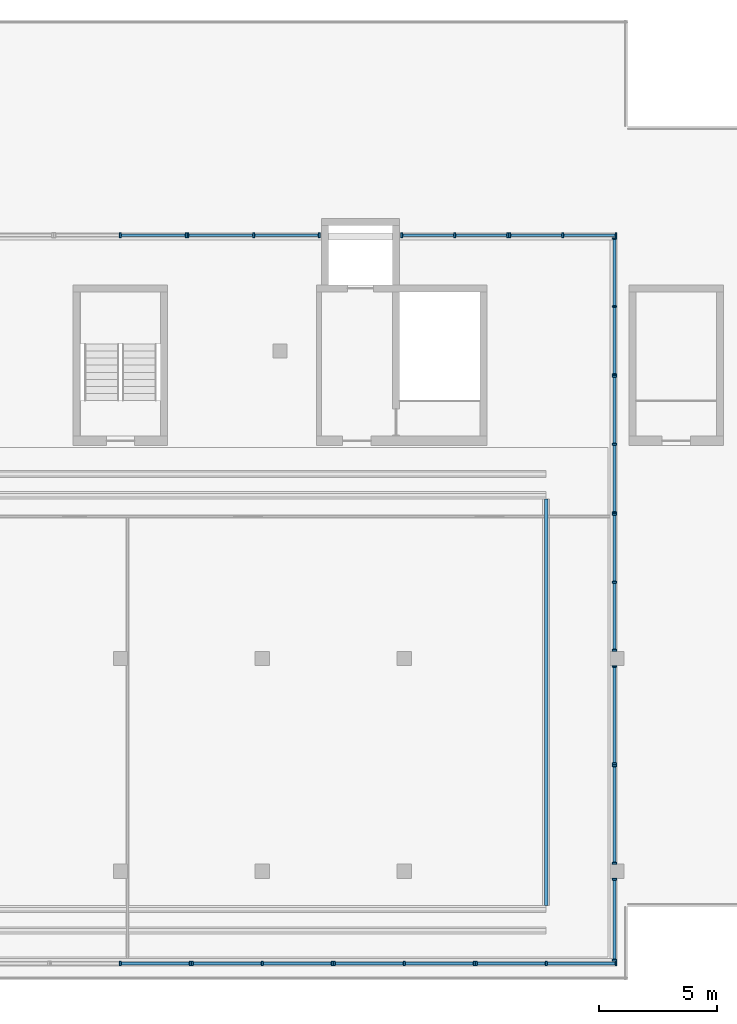
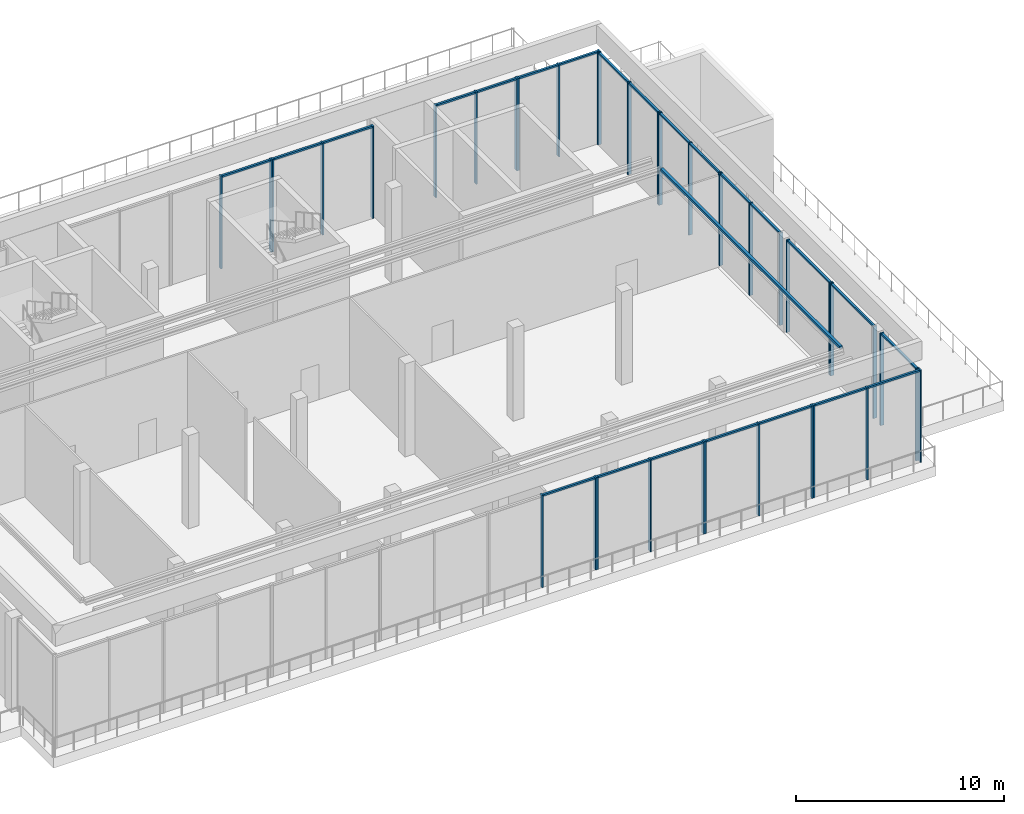
# One storey, part 6 of 11: 61 members, 14 elements without a shape of their own.
"""IFC4 building model written with IfcOpenShell, lengths in metres."""

import ifcopenshell
import ifcopenshell.guid

model = None  # the IFC model being written
_history = None  # IfcOwnerHistory: only IFC2X3 demands one
_inside = {}  # id of a spatial element -> (the spatial element, [elements in it])
_under = {}  # id of a project, library or spatial element -> (it, [spatial elements below it])
_declared = {}  # id of a project -> (the project, [libraries it declares])
_typed = {}  # id of a type object -> (the type object, [elements of that type])
_made_of = {}  # id of a material, layer set ... -> (it, [elements and type objects made of it])


def new_model(schema):
    """Start an empty IFC model of exactly this schema.

    Asked for "IFC4X3", IfcOpenShell would pick the latest addendum, in which some entities
    have other attributes; the version numbers below select the first issue.
    IFC2X3 requires an IfcOwnerHistory on every rooted entity: one is made here for all.
    """
    global model, _history
    if schema == "IFC4X3":
        model = ifcopenshell.file(schema_version=(4, 3, 0, 0))
    else:
        model = ifcopenshell.file(schema=schema)
    _inside.clear()
    _under.clear()
    _declared.clear()
    _typed.clear()
    _made_of.clear()
    _history = None
    if model.schema == "IFC2X3":
        org = make("IfcOrganization", Name="unknown")
        user = make(
            "IfcPersonAndOrganization",
            ThePerson=make("IfcPerson", FamilyName="unknown"),
            TheOrganization=org,
        )
        app = make(
            "IfcApplication",
            ApplicationDeveloper=org,
            Version="unknown",
            ApplicationFullName="unknown",
            ApplicationIdentifier="unknown",
        )
        _history = make(
            "IfcOwnerHistory",
            OwningUser=user,
            OwningApplication=app,
            ChangeAction="ADDED",
            CreationDate=0,
        )
    return model


def make(cls, **values):
    """One entity of the class cls with the attributes given. An attribute that is None is left unset."""
    return model.create_entity(
        cls, **{name: value for name, value in values.items() if value is not None}
    )


def rooted(cls, **values):
    """An entity with a GlobalId (a new one), such as an element, a storey or a relation."""
    return make(cls, GlobalId=ifcopenshell.guid.new(), OwnerHistory=_history, **values)


def si_unit(unit_type, name, prefix=None):
    """IfcSIUnit, for example si_unit("LENGTHUNIT", "METRE", prefix="MILLI")."""
    return make("IfcSIUnit", UnitType=unit_type, Prefix=prefix, Name=name)


def assignment(units):
    """IfcUnitAssignment: the units of a project."""
    return None if units is None else make("IfcUnitAssignment", Units=units)


def point(xyz):
    """IfcCartesianPoint."""
    return None if xyz is None else make("IfcCartesianPoint", Coordinates=xyz)


def direction(xyz):
    """IfcDirection."""
    return None if xyz is None else make("IfcDirection", DirectionRatios=xyz)


def frame(location, z_axis=None, x_axis=None):
    """IfcAxis2Placement3D, a coordinate frame: its origin and axes. An axis left out is left unset."""
    return make(
        "IfcAxis2Placement3D",
        Location=point(location),
        Axis=direction(z_axis),
        RefDirection=direction(x_axis),
    )


def frame_2d(location, x_axis=None):
    """IfcAxis2Placement2D, a coordinate frame in the plane: its origin and x axis."""
    return make(
        "IfcAxis2Placement2D", Location=point(location), RefDirection=direction(x_axis)
    )


def origin():
    """The frame at (0, 0, 0) with its axes left unset."""
    return frame((0.0, 0.0, 0.0))


def origin_2d():
    """The frame at (0, 0) in the plane with its x axis left unset."""
    return frame_2d((0.0, 0.0))


def place(relative_to, where):
    """IfcLocalPlacement: puts the frame where relative to a parent placement (None: the world)."""
    return make(
        "IfcLocalPlacement", PlacementRelTo=relative_to, RelativePlacement=where
    )


def context(
    kind, dimensions, precision=None, world=None, true_north=None, identifier=None
):
    """IfcGeometricRepresentationContext, for example the 3D "Model" context."""
    return make(
        "IfcGeometricRepresentationContext",
        ContextIdentifier=identifier,
        ContextType=kind,
        CoordinateSpaceDimension=dimensions,
        Precision=precision,
        WorldCoordinateSystem=world,
        TrueNorth=true_north,
    )


def subcontext(parent, identifier, kind, view, scale=None):
    """IfcGeometricRepresentationSubContext, for example "Body" below "Model"."""
    return make(
        "IfcGeometricRepresentationSubContext",
        ContextIdentifier=identifier,
        ContextType=kind,
        ParentContext=parent,
        TargetScale=scale,
        TargetView=view,
    )


def project(units=None, contexts=None):
    """IfcProject with its units and contexts."""
    return rooted(
        "IfcProject",
        Name="project",
        RepresentationContexts=contexts,
        UnitsInContext=assignment(units),
    )


def spatial(cls, under=None, at=None, **own):
    """A site, building, storey or space (cls), placed at a placement, below another one or the project."""
    s = rooted(cls, ObjectPlacement=at, **own)
    if under is not None:
        _under.setdefault(under.id(), (under, []))[1].append(s)
    return s


def profile(cls, at=None, kind="AREA", **sizes):
    """A parametric profile (cls). Its sizes go by their IFC names, for example OverallWidth=200.0."""
    return make(cls, ProfileType=kind, Position=at, **sizes)


def rectangle(**sizes):
    """IfcRectangleProfileDef."""
    return profile("IfcRectangleProfileDef", **sizes)


def extrude(swept, where, along, depth):
    """IfcExtrudedAreaSolid: the profile swept, set in the frame where, extruded along a direction by depth."""
    return make(
        "IfcExtrudedAreaSolid",
        SweptArea=swept,
        Position=where,
        ExtrudedDirection=direction(along),
        Depth=depth,
    )


def shape(context_of_items, identifier, shape_type, items):
    """IfcShapeRepresentation: the items that make up one representation, for example the "Body"."""
    return make(
        "IfcShapeRepresentation",
        ContextOfItems=context_of_items,
        RepresentationIdentifier=identifier,
        RepresentationType=shape_type,
        Items=items,
    )


def material(Name=None, Category=None):
    """IfcMaterial."""
    return make("IfcMaterial", Name=Name, Category=Category)


def material_profile(
    of_material, cross_section, Name=None, Category=None, Priority=None
):
    """IfcMaterialProfile: a cross section and its material."""
    return make(
        "IfcMaterialProfile",
        Name=Name,
        Material=of_material,
        Profile=cross_section,
        Priority=Priority,
        Category=Category,
    )


def profile_set(profiles, Name=None, composite=None):
    """IfcMaterialProfileSet."""
    return make(
        "IfcMaterialProfileSet",
        Name=Name,
        MaterialProfiles=profiles,
        CompositeProfile=composite,
    )


def made_of(thing, what):
    """Note that an element or type object is made of a material, layer set ...; save() writes the relation."""
    if what is not None:
        _made_of.setdefault(what.id(), (what, []))[1].append(thing)
    return thing


def type_object(cls, material=None, **own):
    """A type object (cls), such as IfcWallType, which elements share."""
    return made_of(rooted(cls, **own), material)


def element(
    cls,
    number,
    at=None,
    inside=None,
    cuts=None,
    type_object=None,
    material=None,
    context=None,
    identifier="Body",
    shape_type=None,
    held_by="IfcProductDefinitionShape",
    body=None,
    shapes=None,
    **own,
):
    """One element of the class cls, such as IfcWall. Its Tag is "e" and its number.

    at: its placement. inside: the storey or other place that contains it. cuts: it is an
    opening in that element (IfcRelVoidsElement). A single representation is given by context,
    identifier, shape_type and body (its items); several are given by shapes. held_by: the class
    of the entity that holds the representations. save() writes the other relations.
    """
    e = rooted(cls, Tag="e%d" % number, ObjectPlacement=at, **own)
    if body is not None:
        shapes = [shape(context, identifier, shape_type, body)]
    if shapes is not None:
        e.Representation = make(held_by, Representations=shapes)
    if inside is not None:
        _inside.setdefault(inside.id(), (inside, []))[1].append(e)
    if cuts is not None:
        rooted(
            "IfcRelVoidsElement", RelatingBuildingElement=cuts, RelatedOpeningElement=e
        )
    if type_object is not None:
        _typed.setdefault(type_object.id(), (type_object, []))[1].append(e)
    return made_of(e, material)


def aggregate(whole, parts):
    """IfcRelAggregates: a whole, such as a stair, and the parts it consists of."""
    return rooted("IfcRelAggregates", RelatingObject=whole, RelatedObjects=parts)


def save(model, path):
    """Write the relations noted so far, then the file.

    IfcRelAggregates (storeys below a building ...), IfcRelContainedInSpatialStructure (elements
    in a storey), IfcRelDefinesByType, IfcRelAssociatesMaterial and IfcRelDeclares: one each for
    every whole, place, type object, material and project.
    """
    for whole, parts in _under.values():
        aggregate(whole, parts)
    for where, things in _inside.values():
        rooted(
            "IfcRelContainedInSpatialStructure",
            RelatedElements=things,
            RelatingStructure=where,
        )
    for kind, things in _typed.values():
        rooted("IfcRelDefinesByType", RelatedObjects=things, RelatingType=kind)
    for what, things in _made_of.values():
        rooted("IfcRelAssociatesMaterial", RelatedObjects=things, RelatingMaterial=what)
    for by, libraries in _declared.values():
        rooted("IfcRelDeclares", RelatingContext=by, RelatedDefinitions=libraries)
    model.write(path)


model = new_model("IFC4")

# Units and contexts
model_context = context("Model", 3, precision=1e-05, world=origin(), true_north=direction((0.0, 1.0)))
body_context = subcontext(model_context, "Body", "Model", "MODEL_VIEW")
ifc_project = project(units=[si_unit("LENGTHUNIT", "METRE"), si_unit("AREAUNIT", "SQUARE_METRE"), si_unit("VOLUMEUNIT", "CUBIC_METRE"), si_unit("PLANEANGLEUNIT", "RADIAN"), si_unit("MASSUNIT", "GRAM", prefix="KILO")], contexts=[model_context])

# Site, building, storey
site_placement = place(None, origin())
site = spatial("IfcSite", under=ifc_project, at=site_placement, CompositionType="ELEMENT")
building_placement = place(site_placement, origin())
building = spatial("IfcBuilding", under=site, at=building_placement, Name="Calvaro Tower", CompositionType="ELEMENT")
storey_placement = place(building_placement, frame((0.0, 0.0, 271.949951171875)))
storey = spatial("IfcBuildingStorey", under=building, at=storey_placement, Name="L68", CompositionType="ELEMENT", Elevation=271.949951171875)

# Member
ifc_material_1 = material(Name="Steel S355", Category="steel")
ifc_material_profile_1 = material_profile(ifc_material_1, rectangle(XDim=0.14990234375, YDim=0.14990234375, at=origin_2d()), Name="BMU rail 150")
ifc_profile_set_1 = profile_set([ifc_material_profile_1], Name="Steel S355")
member_type_1 = type_object("IfcMemberType", Name="BMU rail 150", PredefinedType="USERDEFINED", material=ifc_profile_set_1)
member_1_placement = place(storey_placement, frame((57.0, 8.550048828125, 6.22509765625), z_axis=(0.0, 1.0, 0.0), x_axis=(-1.0, 0.0, 0.0)))
element("IfcMember", 1, at=member_1_placement, inside=storey, type_object=member_type_1, Name="BMU rail", ObjectType="BMU RAIL", PredefinedType="USERDEFINED", context=body_context, shape_type="SweptSolid", body=[
    extrude(rectangle(XDim=0.14990234375, YDim=0.14990234375, at=origin_2d()), origin(), (0.0, 0.0, 1.0), 17.199951171875),
])

# Curtain wall, members
ifc_material_2 = material(Name="Anodised aluminium", Category="aluminium")
curtain_wall_type = type_object("IfcCurtainWallType", Name="Louvre wall", PredefinedType="NOTDEFINED", material=ifc_material_2)
curtain_wall_1_placement = place(storey_placement, origin())
curtain_wall_1 = element("IfcCurtainWall", 2, at=curtain_wall_1_placement, inside=storey, type_object=curtain_wall_type, Name="CW8 drum louvre wall", PredefinedType="NOTDEFINED")
ifc_material_3 = material(Name="Anodised aluminium", Category="aluminium")
ifc_material_profile_2 = material_profile(ifc_material_3, rectangle(XDim=0.199951171875, YDim=0.080078125, at=origin_2d()), Name="Mullion LV 80 x 200")
ifc_profile_set_2 = profile_set([ifc_material_profile_2], Name="Anodised aluminium")
member_type_2 = type_object("IfcMemberType", Name="Mullion LV 80 x 200", PredefinedType="MULLION", material=ifc_profile_set_2)
member_2_placement = place(storey_placement, frame((39.0, 6.10009765625, 0.0), z_axis=(0.0, 0.0, 1.0), x_axis=(0.0, 1.0, 0.0)))
member_2 = element("IfcMember", 3, at=member_2_placement, type_object=member_type_2, Name="CW8 mullion 2", PredefinedType="MULLION", context=body_context, shape_type="SweptSolid", body=[
    extrude(rectangle(XDim=0.199951171875, YDim=0.080078125, at=origin_2d()), origin(), (0.0, 0.0, 1.0), 5.400146484375),
])
member_3_placement = place(storey_placement, frame((41.9599609375, 6.10009765625, 0.0), z_axis=(0.0, 0.0, 1.0), x_axis=(0.0, 1.0, 0.0)))
member_3 = element("IfcMember", 4, at=member_3_placement, type_object=member_type_2, Name="CW8 mullion 3", PredefinedType="MULLION", context=body_context, shape_type="SweptSolid", body=[
    extrude(rectangle(XDim=0.199951171875, YDim=0.080078125, at=origin_2d()), origin(), (0.0, 0.0, 1.0), 5.400146484375),
])

curtain_wall_2_placement = place(storey_placement, origin())
curtain_wall_2 = element("IfcCurtainWall", 5, at=curtain_wall_2_placement, inside=storey, type_object=curtain_wall_type, Name="CW8 drum louvre wall", PredefinedType="NOTDEFINED")
member_4_placement = place(storey_placement, frame((42.0400390625, 6.10009765625, 0.0), z_axis=(0.0, 0.0, 1.0), x_axis=(0.0, 1.0, 0.0)))
member_4 = element("IfcMember", 6, at=member_4_placement, type_object=member_type_2, Name="CW8 mullion 1", PredefinedType="MULLION", context=body_context, shape_type="SweptSolid", body=[
    extrude(rectangle(XDim=0.199951171875, YDim=0.080078125, at=origin_2d()), origin(), (0.0, 0.0, 1.0), 5.400146484375),
])
member_5_placement = place(storey_placement, frame((45.0, 6.10009765625, 0.0), z_axis=(0.0, 0.0, 1.0), x_axis=(0.0, 1.0, 0.0)))
member_5 = element("IfcMember", 7, at=member_5_placement, type_object=member_type_2, Name="CW8 mullion 2", PredefinedType="MULLION", context=body_context, shape_type="SweptSolid", body=[
    extrude(rectangle(XDim=0.199951171875, YDim=0.080078125, at=origin_2d()), origin(), (0.0, 0.0, 1.0), 5.400146484375),
])
member_6_placement = place(storey_placement, frame((47.9599609375, 6.10009765625, 0.0), z_axis=(0.0, 0.0, 1.0), x_axis=(0.0, 1.0, 0.0)))
member_6 = element("IfcMember", 8, at=member_6_placement, type_object=member_type_2, Name="CW8 mullion 3", PredefinedType="MULLION", context=body_context, shape_type="SweptSolid", body=[
    extrude(rectangle(XDim=0.199951171875, YDim=0.080078125, at=origin_2d()), origin(), (0.0, 0.0, 1.0), 5.400146484375),
])

curtain_wall_3_placement = place(storey_placement, origin())
curtain_wall_3 = element("IfcCurtainWall", 9, at=curtain_wall_3_placement, inside=storey, type_object=curtain_wall_type, Name="CW8 drum louvre wall", PredefinedType="NOTDEFINED")
member_7_placement = place(storey_placement, frame((48.0400390625, 6.10009765625, 0.0), z_axis=(0.0, 0.0, 1.0), x_axis=(0.0, 1.0, 0.0)))
member_7 = element("IfcMember", 10, at=member_7_placement, type_object=member_type_2, Name="CW8 mullion 1", PredefinedType="MULLION", context=body_context, shape_type="SweptSolid", body=[
    extrude(rectangle(XDim=0.199951171875, YDim=0.080078125, at=origin_2d()), origin(), (0.0, 0.0, 1.0), 5.400146484375),
])
member_8_placement = place(storey_placement, frame((51.0, 6.10009765625, 0.0), z_axis=(0.0, 0.0, 1.0), x_axis=(0.0, 1.0, 0.0)))
member_8 = element("IfcMember", 11, at=member_8_placement, type_object=member_type_2, Name="CW8 mullion 2", PredefinedType="MULLION", context=body_context, shape_type="SweptSolid", body=[
    extrude(rectangle(XDim=0.199951171875, YDim=0.080078125, at=origin_2d()), origin(), (0.0, 0.0, 1.0), 5.400146484375),
])
member_9_placement = place(storey_placement, frame((53.9599609375, 6.10009765625, 0.0), z_axis=(0.0, 0.0, 1.0), x_axis=(0.0, 1.0, 0.0)))
member_9 = element("IfcMember", 12, at=member_9_placement, type_object=member_type_2, Name="CW8 mullion 3", PredefinedType="MULLION", context=body_context, shape_type="SweptSolid", body=[
    extrude(rectangle(XDim=0.199951171875, YDim=0.080078125, at=origin_2d()), origin(), (0.0, 0.0, 1.0), 5.400146484375),
])

curtain_wall_4_placement = place(storey_placement, origin())
curtain_wall_4 = element("IfcCurtainWall", 13, at=curtain_wall_4_placement, inside=storey, type_object=curtain_wall_type, Name="CW8 drum louvre wall", PredefinedType="NOTDEFINED")
member_10_placement = place(storey_placement, frame((54.0400390625, 6.10009765625, 0.0), z_axis=(0.0, 0.0, 1.0), x_axis=(0.0, 1.0, 0.0)))
member_10 = element("IfcMember", 14, at=member_10_placement, type_object=member_type_2, Name="CW8 mullion 1", PredefinedType="MULLION", context=body_context, shape_type="SweptSolid", body=[
    extrude(rectangle(XDim=0.199951171875, YDim=0.080078125, at=origin_2d()), origin(), (0.0, 0.0, 1.0), 5.400146484375),
])
member_11_placement = place(storey_placement, frame((57.0, 6.10009765625, 0.0), z_axis=(0.0, 0.0, 1.0), x_axis=(0.0, 1.0, 0.0)))
member_11 = element("IfcMember", 15, at=member_11_placement, type_object=member_type_2, Name="CW8 mullion 2", PredefinedType="MULLION", context=body_context, shape_type="SweptSolid", body=[
    extrude(rectangle(XDim=0.199951171875, YDim=0.080078125, at=origin_2d()), origin(), (0.0, 0.0, 1.0), 5.400146484375),
])
member_12_placement = place(storey_placement, frame((59.9599609375, 6.10009765625, 0.0), z_axis=(0.0, 0.0, 1.0), x_axis=(0.0, 1.0, 0.0)))
member_12 = element("IfcMember", 16, at=member_12_placement, type_object=member_type_2, Name="CW8 mullion 3", PredefinedType="MULLION", context=body_context, shape_type="SweptSolid", body=[
    extrude(rectangle(XDim=0.199951171875, YDim=0.080078125, at=origin_2d()), origin(), (0.0, 0.0, 1.0), 5.400146484375),
])

curtain_wall_5_placement = place(storey_placement, origin())
curtain_wall_5 = element("IfcCurtainWall", 17, at=curtain_wall_5_placement, inside=storey, type_object=curtain_wall_type, Name="CW8 drum louvre wall", PredefinedType="NOTDEFINED")
member_13_placement = place(storey_placement, frame((39.0, 36.89990234375, 0.0), z_axis=(0.0, 0.0, 1.0), x_axis=(0.0, 1.0, 0.0)))
member_13 = element("IfcMember", 18, at=member_13_placement, type_object=member_type_2, Name="CW8 mullion 2", PredefinedType="MULLION", context=body_context, shape_type="SweptSolid", body=[
    extrude(rectangle(XDim=0.199951171875, YDim=0.080078125, at=origin_2d()), origin(), (0.0, 0.0, 1.0), 5.400146484375),
])
member_14_placement = place(storey_placement, frame((41.776611328125, 36.89990234375, 0.0), z_axis=(0.0, 0.0, 1.0), x_axis=(0.0, 1.0, 0.0)))
member_14 = element("IfcMember", 19, at=member_14_placement, type_object=member_type_2, Name="CW8 mullion 3", PredefinedType="MULLION", context=body_context, shape_type="SweptSolid", body=[
    extrude(rectangle(XDim=0.199951171875, YDim=0.080078125, at=origin_2d()), origin(), (0.0, 0.0, 1.0), 5.400146484375),
])

curtain_wall_6_placement = place(storey_placement, origin())
curtain_wall_6 = element("IfcCurtainWall", 20, at=curtain_wall_6_placement, inside=storey, type_object=curtain_wall_type, Name="CW8 drum louvre wall", PredefinedType="NOTDEFINED")
member_15_placement = place(storey_placement, frame((41.856689453125, 36.89990234375, 0.0), z_axis=(0.0, 0.0, 1.0), x_axis=(0.0, 1.0, 0.0)))
member_15 = element("IfcMember", 21, at=member_15_placement, type_object=member_type_2, Name="CW8 mullion 1", PredefinedType="MULLION", context=body_context, shape_type="SweptSolid", body=[
    extrude(rectangle(XDim=0.199951171875, YDim=0.080078125, at=origin_2d()), origin(), (0.0, 0.0, 1.0), 5.400146484375),
])
member_16_placement = place(storey_placement, frame((44.63330078125, 36.89990234375, 0.0), z_axis=(0.0, 0.0, 1.0), x_axis=(0.0, 1.0, 0.0)))
member_16 = element("IfcMember", 22, at=member_16_placement, type_object=member_type_2, Name="CW8 mullion 2", PredefinedType="MULLION", context=body_context, shape_type="SweptSolid", body=[
    extrude(rectangle(XDim=0.199951171875, YDim=0.080078125, at=origin_2d()), origin(), (0.0, 0.0, 1.0), 5.400146484375),
])
member_17_placement = place(storey_placement, frame((47.409912109375, 36.89990234375, 0.0), z_axis=(0.0, 0.0, 1.0), x_axis=(0.0, 1.0, 0.0)))
member_17 = element("IfcMember", 23, at=member_17_placement, type_object=member_type_2, Name="CW8 mullion 3", PredefinedType="MULLION", context=body_context, shape_type="SweptSolid", body=[
    extrude(rectangle(XDim=0.199951171875, YDim=0.080078125, at=origin_2d()), origin(), (0.0, 0.0, 1.0), 5.400146484375),
])

curtain_wall_7_placement = place(storey_placement, origin())
curtain_wall_7 = element("IfcCurtainWall", 24, at=curtain_wall_7_placement, inside=storey, type_object=curtain_wall_type, Name="CW8 drum louvre wall", PredefinedType="NOTDEFINED")
member_18_placement = place(storey_placement, frame((50.889892578125, 36.89990234375, 0.0), z_axis=(0.0, 0.0, 1.0), x_axis=(0.0, 1.0, 0.0)))
member_18 = element("IfcMember", 25, at=member_18_placement, type_object=member_type_2, Name="CW8 mullion 1", PredefinedType="MULLION", context=body_context, shape_type="SweptSolid", body=[
    extrude(rectangle(XDim=0.199951171875, YDim=0.080078125, at=origin_2d()), origin(), (0.0, 0.0, 1.0), 5.400146484375),
])
member_19_placement = place(storey_placement, frame((53.137451171875, 36.89990234375, 0.0), z_axis=(0.0, 0.0, 1.0), x_axis=(0.0, 1.0, 0.0)))
member_19 = element("IfcMember", 26, at=member_19_placement, type_object=member_type_2, Name="CW8 mullion 2", PredefinedType="MULLION", context=body_context, shape_type="SweptSolid", body=[
    extrude(rectangle(XDim=0.199951171875, YDim=0.080078125, at=origin_2d()), origin(), (0.0, 0.0, 1.0), 5.400146484375),
])
member_20_placement = place(storey_placement, frame((55.385009765625, 36.89990234375, 0.0), z_axis=(0.0, 0.0, 1.0), x_axis=(0.0, 1.0, 0.0)))
member_20 = element("IfcMember", 27, at=member_20_placement, type_object=member_type_2, Name="CW8 mullion 3", PredefinedType="MULLION", context=body_context, shape_type="SweptSolid", body=[
    extrude(rectangle(XDim=0.199951171875, YDim=0.080078125, at=origin_2d()), origin(), (0.0, 0.0, 1.0), 5.400146484375),
])

curtain_wall_8_placement = place(storey_placement, origin())
curtain_wall_8 = element("IfcCurtainWall", 28, at=curtain_wall_8_placement, inside=storey, type_object=curtain_wall_type, Name="CW8 drum louvre wall", PredefinedType="NOTDEFINED")
member_21_placement = place(storey_placement, frame((55.465087890625, 36.89990234375, 0.0), z_axis=(0.0, 0.0, 1.0), x_axis=(0.0, 1.0, 0.0)))
member_21 = element("IfcMember", 29, at=member_21_placement, type_object=member_type_2, Name="CW8 mullion 1", PredefinedType="MULLION", context=body_context, shape_type="SweptSolid", body=[
    extrude(rectangle(XDim=0.199951171875, YDim=0.080078125, at=origin_2d()), origin(), (0.0, 0.0, 1.0), 5.400146484375),
])
member_22_placement = place(storey_placement, frame((57.71240234375, 36.89990234375, 0.0), z_axis=(0.0, 0.0, 1.0), x_axis=(0.0, 1.0, 0.0)))
member_22 = element("IfcMember", 30, at=member_22_placement, type_object=member_type_2, Name="CW8 mullion 2", PredefinedType="MULLION", context=body_context, shape_type="SweptSolid", body=[
    extrude(rectangle(XDim=0.199951171875, YDim=0.080078125, at=origin_2d()), origin(), (0.0, 0.0, 1.0), 5.400146484375),
])
member_23_placement = place(storey_placement, frame((59.9599609375, 36.89990234375, 0.0), z_axis=(0.0, 0.0, 1.0), x_axis=(0.0, 1.0, 0.0)))
member_23 = element("IfcMember", 31, at=member_23_placement, type_object=member_type_2, Name="CW8 mullion 3", PredefinedType="MULLION", context=body_context, shape_type="SweptSolid", body=[
    extrude(rectangle(XDim=0.199951171875, YDim=0.080078125, at=origin_2d()), origin(), (0.0, 0.0, 1.0), 5.400146484375),
])

curtain_wall_9_placement = place(storey_placement, origin())
curtain_wall_9 = element("IfcCurtainWall", 32, at=curtain_wall_9_placement, inside=storey, type_object=curtain_wall_type, Name="CW8 drum louvre wall", PredefinedType="NOTDEFINED")
member_24_placement = place(storey_placement, frame((59.89990234375, 6.239990234375, 0.0), z_axis=(0.0, 0.0, 1.0), x_axis=(-1.0, 0.0, 0.0)))
member_24 = element("IfcMember", 33, at=member_24_placement, type_object=member_type_2, Name="CW8 mullion 1", PredefinedType="MULLION", context=body_context, shape_type="SweptSolid", body=[
    extrude(rectangle(XDim=0.199951171875, YDim=0.080078125, at=origin_2d()), origin(), (0.0, 0.0, 1.0), 5.400146484375),
])
member_25_placement = place(storey_placement, frame((59.89990234375, 9.659912109375, 0.0), z_axis=(0.0, 0.0, 1.0), x_axis=(-1.0, 0.0, 0.0)))
member_25 = element("IfcMember", 34, at=member_25_placement, type_object=member_type_2, Name="CW8 mullion 2", PredefinedType="MULLION", context=body_context, shape_type="SweptSolid", body=[
    extrude(rectangle(XDim=0.199951171875, YDim=0.080078125, at=origin_2d()), origin(), (0.0, 0.0, 1.0), 5.400146484375),
])

curtain_wall_10_placement = place(storey_placement, origin())
curtain_wall_10 = element("IfcCurtainWall", 35, at=curtain_wall_10_placement, inside=storey, type_object=curtain_wall_type, Name="CW8 drum louvre wall", PredefinedType="NOTDEFINED")
member_26_placement = place(storey_placement, frame((59.89990234375, 10.340087890625, 0.0), z_axis=(0.0, 0.0, 1.0), x_axis=(-1.0, 0.0, 0.0)))
member_26 = element("IfcMember", 36, at=member_26_placement, type_object=member_type_2, Name="CW8 mullion 1", PredefinedType="MULLION", context=body_context, shape_type="SweptSolid", body=[
    extrude(rectangle(XDim=0.199951171875, YDim=0.080078125, at=origin_2d()), origin(), (0.0, 0.0, 1.0), 5.400146484375),
])
member_27_placement = place(storey_placement, frame((59.89990234375, 14.4599609375, 0.0), z_axis=(0.0, 0.0, 1.0), x_axis=(-1.0, 0.0, 0.0)))
member_27 = element("IfcMember", 37, at=member_27_placement, type_object=member_type_2, Name="CW8 mullion 2", PredefinedType="MULLION", context=body_context, shape_type="SweptSolid", body=[
    extrude(rectangle(XDim=0.199951171875, YDim=0.080078125, at=origin_2d()), origin(), (0.0, 0.0, 1.0), 5.400146484375),
])

curtain_wall_11_placement = place(storey_placement, origin())
curtain_wall_11 = element("IfcCurtainWall", 38, at=curtain_wall_11_placement, inside=storey, type_object=curtain_wall_type, Name="CW8 drum louvre wall", PredefinedType="NOTDEFINED")
member_28_placement = place(storey_placement, frame((59.89990234375, 14.5400390625, 0.0), z_axis=(0.0, 0.0, 1.0), x_axis=(-1.0, 0.0, 0.0)))
member_28 = element("IfcMember", 39, at=member_28_placement, type_object=member_type_2, Name="CW8 mullion 1", PredefinedType="MULLION", context=body_context, shape_type="SweptSolid", body=[
    extrude(rectangle(XDim=0.199951171875, YDim=0.080078125, at=origin_2d()), origin(), (0.0, 0.0, 1.0), 5.400146484375),
])
member_29_placement = place(storey_placement, frame((59.89990234375, 18.659912109375, 0.0), z_axis=(0.0, 0.0, 1.0), x_axis=(-1.0, 0.0, 0.0)))
member_29 = element("IfcMember", 40, at=member_29_placement, type_object=member_type_2, Name="CW8 mullion 2", PredefinedType="MULLION", context=body_context, shape_type="SweptSolid", body=[
    extrude(rectangle(XDim=0.199951171875, YDim=0.080078125, at=origin_2d()), origin(), (0.0, 0.0, 1.0), 5.400146484375),
])

curtain_wall_12_placement = place(storey_placement, origin())
curtain_wall_12 = element("IfcCurtainWall", 41, at=curtain_wall_12_placement, inside=storey, type_object=curtain_wall_type, Name="CW8 drum louvre wall", PredefinedType="NOTDEFINED")
member_30_placement = place(storey_placement, frame((59.89990234375, 19.340087890625, 0.0), z_axis=(0.0, 0.0, 1.0), x_axis=(-1.0, 0.0, 0.0)))
member_30 = element("IfcMember", 42, at=member_30_placement, type_object=member_type_2, Name="CW8 mullion 1", PredefinedType="MULLION", context=body_context, shape_type="SweptSolid", body=[
    extrude(rectangle(XDim=0.199951171875, YDim=0.080078125, at=origin_2d()), origin(), (0.0, 0.0, 1.0), 5.400146484375),
])
member_31_placement = place(storey_placement, frame((59.89990234375, 22.216552734375, 0.0), z_axis=(0.0, 0.0, 1.0), x_axis=(-1.0, 0.0, 0.0)))
member_31 = element("IfcMember", 43, at=member_31_placement, type_object=member_type_2, Name="CW8 mullion 2", PredefinedType="MULLION", context=body_context, shape_type="SweptSolid", body=[
    extrude(rectangle(XDim=0.199951171875, YDim=0.080078125, at=origin_2d()), origin(), (0.0, 0.0, 1.0), 5.400146484375),
])
member_32_placement = place(storey_placement, frame((59.89990234375, 25.09326171875, 0.0), z_axis=(0.0, 0.0, 1.0), x_axis=(-1.0, 0.0, 0.0)))
member_32 = element("IfcMember", 44, at=member_32_placement, type_object=member_type_2, Name="CW8 mullion 3", PredefinedType="MULLION", context=body_context, shape_type="SweptSolid", body=[
    extrude(rectangle(XDim=0.199951171875, YDim=0.080078125, at=origin_2d()), origin(), (0.0, 0.0, 1.0), 5.400146484375),
])

curtain_wall_13_placement = place(storey_placement, origin())
curtain_wall_13 = element("IfcCurtainWall", 45, at=curtain_wall_13_placement, inside=storey, type_object=curtain_wall_type, Name="CW8 drum louvre wall", PredefinedType="NOTDEFINED")
member_33_placement = place(storey_placement, frame((59.89990234375, 25.17333984375, 0.0), z_axis=(0.0, 0.0, 1.0), x_axis=(-1.0, 0.0, 0.0)))
member_33 = element("IfcMember", 46, at=member_33_placement, type_object=member_type_2, Name="CW8 mullion 1", PredefinedType="MULLION", context=body_context, shape_type="SweptSolid", body=[
    extrude(rectangle(XDim=0.199951171875, YDim=0.080078125, at=origin_2d()), origin(), (0.0, 0.0, 1.0), 5.400146484375),
])
member_34_placement = place(storey_placement, frame((59.89990234375, 28.050048828125, 0.0), z_axis=(0.0, 0.0, 1.0), x_axis=(-1.0, 0.0, 0.0)))
member_34 = element("IfcMember", 47, at=member_34_placement, type_object=member_type_2, Name="CW8 mullion 2", PredefinedType="MULLION", context=body_context, shape_type="SweptSolid", body=[
    extrude(rectangle(XDim=0.199951171875, YDim=0.080078125, at=origin_2d()), origin(), (0.0, 0.0, 1.0), 5.400146484375),
])
member_35_placement = place(storey_placement, frame((59.89990234375, 30.9267578125, 0.0), z_axis=(0.0, 0.0, 1.0), x_axis=(-1.0, 0.0, 0.0)))
member_35 = element("IfcMember", 48, at=member_35_placement, type_object=member_type_2, Name="CW8 mullion 3", PredefinedType="MULLION", context=body_context, shape_type="SweptSolid", body=[
    extrude(rectangle(XDim=0.199951171875, YDim=0.080078125, at=origin_2d()), origin(), (0.0, 0.0, 1.0), 5.400146484375),
])

curtain_wall_14_placement = place(storey_placement, origin())
curtain_wall_14 = element("IfcCurtainWall", 49, at=curtain_wall_14_placement, inside=storey, type_object=curtain_wall_type, Name="CW8 drum louvre wall", PredefinedType="NOTDEFINED")
member_36_placement = place(storey_placement, frame((59.89990234375, 31.006591796875, 0.0), z_axis=(0.0, 0.0, 1.0), x_axis=(-1.0, 0.0, 0.0)))
member_36 = element("IfcMember", 50, at=member_36_placement, type_object=member_type_2, Name="CW8 mullion 1", PredefinedType="MULLION", context=body_context, shape_type="SweptSolid", body=[
    extrude(rectangle(XDim=0.199951171875, YDim=0.080078125, at=origin_2d()), origin(), (0.0, 0.0, 1.0), 5.400146484375),
])
member_37_placement = place(storey_placement, frame((59.89990234375, 33.88330078125, 0.0), z_axis=(0.0, 0.0, 1.0), x_axis=(-1.0, 0.0, 0.0)))
member_37 = element("IfcMember", 51, at=member_37_placement, type_object=member_type_2, Name="CW8 mullion 2", PredefinedType="MULLION", context=body_context, shape_type="SweptSolid", body=[
    extrude(rectangle(XDim=0.199951171875, YDim=0.080078125, at=origin_2d()), origin(), (0.0, 0.0, 1.0), 5.400146484375),
])
member_38_placement = place(storey_placement, frame((59.89990234375, 36.760009765625, 0.0), z_axis=(0.0, 0.0, 1.0), x_axis=(-1.0, 0.0, 0.0)))
member_38 = element("IfcMember", 52, at=member_38_placement, type_object=member_type_2, Name="CW8 mullion 3", PredefinedType="MULLION", context=body_context, shape_type="SweptSolid", body=[
    extrude(rectangle(XDim=0.199951171875, YDim=0.080078125, at=origin_2d()), origin(), (0.0, 0.0, 1.0), 5.400146484375),
])

# Member
ifc_material_4 = material(Name="Anodised aluminium", Category="aluminium")
ifc_material_profile_3 = material_profile(ifc_material_4, rectangle(XDim=0.1201171875, YDim=0.10009765625, at=origin_2d()), Name="Transom LV 100 x 120")
ifc_profile_set_3 = profile_set([ifc_material_profile_3], Name="Anodised aluminium")
member_type_3 = type_object("IfcMemberType", Name="Transom LV 100 x 120", PredefinedType="USERDEFINED", material=ifc_profile_set_3)
member_39_placement = place(storey_placement, frame((39.0400390625, 6.10009765625, 5.35009765625), z_axis=(1.0, 0.0, 0.0), x_axis=(0.0, 1.0, 0.0)))
member_39 = element("IfcMember", 53, at=member_39_placement, type_object=member_type_3, Name="CW8 transom 2.1", ObjectType="TRANSOM", PredefinedType="USERDEFINED", context=body_context, shape_type="SweptSolid", body=[
    extrude(rectangle(XDim=0.1201171875, YDim=0.10009765625, at=origin_2d()), origin(), (0.0, 0.0, 1.0), 2.8798828125),
])

aggregate(curtain_wall_1, [member_2, member_3, member_39])

member_40_placement = place(storey_placement, frame((42.080078125, 6.10009765625, 5.35009765625), z_axis=(1.0, 0.0, 0.0), x_axis=(0.0, 1.0, 0.0)))
member_40 = element("IfcMember", 54, at=member_40_placement, type_object=member_type_3, Name="CW8 transom 1.1", ObjectType="TRANSOM", PredefinedType="USERDEFINED", context=body_context, shape_type="SweptSolid", body=[
    extrude(rectangle(XDim=0.1201171875, YDim=0.10009765625, at=origin_2d()), origin(), (0.0, 0.0, 1.0), 2.8798828125),
])

member_41_placement = place(storey_placement, frame((45.0400390625, 6.10009765625, 5.35009765625), z_axis=(1.0, 0.0, 0.0), x_axis=(0.0, 1.0, 0.0)))
member_41 = element("IfcMember", 55, at=member_41_placement, type_object=member_type_3, Name="CW8 transom 2.1", ObjectType="TRANSOM", PredefinedType="USERDEFINED", context=body_context, shape_type="SweptSolid", body=[
    extrude(rectangle(XDim=0.1201171875, YDim=0.10009765625, at=origin_2d()), origin(), (0.0, 0.0, 1.0), 2.8798828125),
])

aggregate(curtain_wall_2, [member_4, member_5, member_6, member_40, member_41])

member_42_placement = place(storey_placement, frame((48.080078125, 6.10009765625, 5.35009765625), z_axis=(1.0, 0.0, 0.0), x_axis=(0.0, 1.0, 0.0)))
member_42 = element("IfcMember", 56, at=member_42_placement, type_object=member_type_3, Name="CW8 transom 1.1", ObjectType="TRANSOM", PredefinedType="USERDEFINED", context=body_context, shape_type="SweptSolid", body=[
    extrude(rectangle(XDim=0.1201171875, YDim=0.10009765625, at=origin_2d()), origin(), (0.0, 0.0, 1.0), 2.8798828125),
])

member_43_placement = place(storey_placement, frame((51.0400390625, 6.10009765625, 5.35009765625), z_axis=(1.0, 0.0, 0.0), x_axis=(0.0, 1.0, 0.0)))
member_43 = element("IfcMember", 57, at=member_43_placement, type_object=member_type_3, Name="CW8 transom 2.1", ObjectType="TRANSOM", PredefinedType="USERDEFINED", context=body_context, shape_type="SweptSolid", body=[
    extrude(rectangle(XDim=0.1201171875, YDim=0.10009765625, at=origin_2d()), origin(), (0.0, 0.0, 1.0), 2.8798828125),
])

aggregate(curtain_wall_3, [member_7, member_8, member_9, member_42, member_43])

member_44_placement = place(storey_placement, frame((54.080078125, 6.10009765625, 5.35009765625), z_axis=(1.0, 0.0, 0.0), x_axis=(0.0, 1.0, 0.0)))
member_44 = element("IfcMember", 58, at=member_44_placement, type_object=member_type_3, Name="CW8 transom 1.1", ObjectType="TRANSOM", PredefinedType="USERDEFINED", context=body_context, shape_type="SweptSolid", body=[
    extrude(rectangle(XDim=0.1201171875, YDim=0.10009765625, at=origin_2d()), origin(), (0.0, 0.0, 1.0), 2.8798828125),
])

member_45_placement = place(storey_placement, frame((57.0400390625, 6.10009765625, 5.35009765625), z_axis=(1.0, 0.0, 0.0), x_axis=(0.0, 1.0, 0.0)))
member_45 = element("IfcMember", 59, at=member_45_placement, type_object=member_type_3, Name="CW8 transom 2.1", ObjectType="TRANSOM", PredefinedType="USERDEFINED", context=body_context, shape_type="SweptSolid", body=[
    extrude(rectangle(XDim=0.1201171875, YDim=0.10009765625, at=origin_2d()), origin(), (0.0, 0.0, 1.0), 2.8798828125),
])

aggregate(curtain_wall_4, [member_10, member_11, member_12, member_44, member_45])

member_46_placement = place(storey_placement, frame((39.0400390625, 36.89990234375, 5.35009765625), z_axis=(1.0, 0.0, 0.0), x_axis=(0.0, 1.0, 0.0)))
member_46 = element("IfcMember", 60, at=member_46_placement, type_object=member_type_3, Name="CW8 transom 2.1", ObjectType="TRANSOM", PredefinedType="USERDEFINED", context=body_context, shape_type="SweptSolid", body=[
    extrude(rectangle(XDim=0.1201171875, YDim=0.10009765625, at=origin_2d()), origin(), (0.0, 0.0, 1.0), 2.696533203125),
])

aggregate(curtain_wall_5, [member_13, member_14, member_46])

member_47_placement = place(storey_placement, frame((41.896728515625, 36.89990234375, 5.35009765625), z_axis=(1.0, 0.0, 0.0), x_axis=(0.0, 1.0, 0.0)))
member_47 = element("IfcMember", 61, at=member_47_placement, type_object=member_type_3, Name="CW8 transom 1.1", ObjectType="TRANSOM", PredefinedType="USERDEFINED", context=body_context, shape_type="SweptSolid", body=[
    extrude(rectangle(XDim=0.1201171875, YDim=0.10009765625, at=origin_2d()), origin(), (0.0, 0.0, 1.0), 2.696533203125),
])

member_48_placement = place(storey_placement, frame((44.67333984375, 36.89990234375, 5.35009765625), z_axis=(1.0, 0.0, 0.0), x_axis=(0.0, 1.0, 0.0)))
member_48 = element("IfcMember", 62, at=member_48_placement, type_object=member_type_3, Name="CW8 transom 2.1", ObjectType="TRANSOM", PredefinedType="USERDEFINED", context=body_context, shape_type="SweptSolid", body=[
    extrude(rectangle(XDim=0.1201171875, YDim=0.10009765625, at=origin_2d()), origin(), (0.0, 0.0, 1.0), 2.69677734375),
])

aggregate(curtain_wall_6, [member_15, member_16, member_17, member_47, member_48])

member_49_placement = place(storey_placement, frame((50.929931640625, 36.89990234375, 5.35009765625), z_axis=(1.0, 0.0, 0.0), x_axis=(0.0, 1.0, 0.0)))
member_49 = element("IfcMember", 63, at=member_49_placement, type_object=member_type_3, Name="CW8 transom 1.1", ObjectType="TRANSOM", PredefinedType="USERDEFINED", context=body_context, shape_type="SweptSolid", body=[
    extrude(rectangle(XDim=0.1201171875, YDim=0.10009765625, at=origin_2d()), origin(), (0.0, 0.0, 1.0), 2.16748046875),
])

member_50_placement = place(storey_placement, frame((53.177490234375, 36.89990234375, 5.35009765625), z_axis=(1.0, 0.0, 0.0), x_axis=(0.0, 1.0, 0.0)))
member_50 = element("IfcMember", 64, at=member_50_placement, type_object=member_type_3, Name="CW8 transom 2.1", ObjectType="TRANSOM", PredefinedType="USERDEFINED", context=body_context, shape_type="SweptSolid", body=[
    extrude(rectangle(XDim=0.1201171875, YDim=0.10009765625, at=origin_2d()), origin(), (0.0, 0.0, 1.0), 2.16748046875),
])

aggregate(curtain_wall_7, [member_18, member_19, member_20, member_49, member_50])

member_51_placement = place(storey_placement, frame((55.5048828125, 36.89990234375, 5.35009765625), z_axis=(1.0, 0.0, 0.0), x_axis=(0.0, 1.0, 0.0)))
member_51 = element("IfcMember", 65, at=member_51_placement, type_object=member_type_3, Name="CW8 transom 1.1", ObjectType="TRANSOM", PredefinedType="USERDEFINED", context=body_context, shape_type="SweptSolid", body=[
    extrude(rectangle(XDim=0.1201171875, YDim=0.10009765625, at=origin_2d()), origin(), (0.0, 0.0, 1.0), 2.167724609375),
])

member_52_placement = place(storey_placement, frame((57.75244140625, 36.89990234375, 5.35009765625), z_axis=(1.0, 0.0, 0.0), x_axis=(0.0, 1.0, 0.0)))
member_52 = element("IfcMember", 66, at=member_52_placement, type_object=member_type_3, Name="CW8 transom 2.1", ObjectType="TRANSOM", PredefinedType="USERDEFINED", context=body_context, shape_type="SweptSolid", body=[
    extrude(rectangle(XDim=0.1201171875, YDim=0.10009765625, at=origin_2d()), origin(), (0.0, 0.0, 1.0), 2.16748046875),
])

aggregate(curtain_wall_8, [member_21, member_22, member_23, member_51, member_52])

member_53_placement = place(storey_placement, frame((59.89990234375, 6.280029296875, 5.35009765625), z_axis=(0.0, 1.0, 0.0), x_axis=(-1.0, 0.0, 0.0)))
member_53 = element("IfcMember", 67, at=member_53_placement, type_object=member_type_3, Name="CW8 transom 1.1", ObjectType="TRANSOM", PredefinedType="USERDEFINED", context=body_context, shape_type="SweptSolid", body=[
    extrude(rectangle(XDim=0.1201171875, YDim=0.10009765625, at=origin_2d()), origin(), (0.0, 0.0, 1.0), 3.340087890625),
])

aggregate(curtain_wall_9, [member_24, member_25, member_53])

member_54_placement = place(storey_placement, frame((59.89990234375, 10.3798828125, 5.35009765625), z_axis=(0.0, 1.0, 0.0), x_axis=(-1.0, 0.0, 0.0)))
member_54 = element("IfcMember", 68, at=member_54_placement, type_object=member_type_3, Name="CW8 transom 1.1", ObjectType="TRANSOM", PredefinedType="USERDEFINED", context=body_context, shape_type="SweptSolid", body=[
    extrude(rectangle(XDim=0.1201171875, YDim=0.10009765625, at=origin_2d()), origin(), (0.0, 0.0, 1.0), 4.0400390625),
])

aggregate(curtain_wall_10, [member_26, member_27, member_54])

member_55_placement = place(storey_placement, frame((59.89990234375, 14.580078125, 5.35009765625), z_axis=(0.0, 1.0, 0.0), x_axis=(-1.0, 0.0, 0.0)))
member_55 = element("IfcMember", 69, at=member_55_placement, type_object=member_type_3, Name="CW8 transom 1.1", ObjectType="TRANSOM", PredefinedType="USERDEFINED", context=body_context, shape_type="SweptSolid", body=[
    extrude(rectangle(XDim=0.1201171875, YDim=0.10009765625, at=origin_2d()), origin(), (0.0, 0.0, 1.0), 4.0400390625),
])

aggregate(curtain_wall_11, [member_28, member_29, member_55])

member_56_placement = place(storey_placement, frame((59.89990234375, 19.3798828125, 5.35009765625), z_axis=(0.0, 1.0, 0.0), x_axis=(-1.0, 0.0, 0.0)))
member_56 = element("IfcMember", 70, at=member_56_placement, type_object=member_type_3, Name="CW8 transom 1.1", ObjectType="TRANSOM", PredefinedType="USERDEFINED", context=body_context, shape_type="SweptSolid", body=[
    extrude(rectangle(XDim=0.1201171875, YDim=0.10009765625, at=origin_2d()), origin(), (0.0, 0.0, 1.0), 2.796875),
])

member_57_placement = place(storey_placement, frame((59.89990234375, 22.256591796875, 5.35009765625), z_axis=(0.0, 1.0, 0.0), x_axis=(-1.0, 0.0, 0.0)))
member_57 = element("IfcMember", 71, at=member_57_placement, type_object=member_type_3, Name="CW8 transom 2.1", ObjectType="TRANSOM", PredefinedType="USERDEFINED", context=body_context, shape_type="SweptSolid", body=[
    extrude(rectangle(XDim=0.1201171875, YDim=0.10009765625, at=origin_2d()), origin(), (0.0, 0.0, 1.0), 2.796630859375),
])

aggregate(curtain_wall_12, [member_30, member_31, member_32, member_56, member_57])

member_58_placement = place(storey_placement, frame((59.89990234375, 25.21337890625, 5.35009765625), z_axis=(0.0, 1.0, 0.0), x_axis=(-1.0, 0.0, 0.0)))
member_58 = element("IfcMember", 72, at=member_58_placement, type_object=member_type_3, Name="CW8 transom 1.1", ObjectType="TRANSOM", PredefinedType="USERDEFINED", context=body_context, shape_type="SweptSolid", body=[
    extrude(rectangle(XDim=0.1201171875, YDim=0.10009765625, at=origin_2d()), origin(), (0.0, 0.0, 1.0), 2.796630859375),
])

member_59_placement = place(storey_placement, frame((59.89990234375, 28.090087890625, 5.35009765625), z_axis=(0.0, 1.0, 0.0), x_axis=(-1.0, 0.0, 0.0)))
member_59 = element("IfcMember", 73, at=member_59_placement, type_object=member_type_3, Name="CW8 transom 2.1", ObjectType="TRANSOM", PredefinedType="USERDEFINED", context=body_context, shape_type="SweptSolid", body=[
    extrude(rectangle(XDim=0.1201171875, YDim=0.10009765625, at=origin_2d()), origin(), (0.0, 0.0, 1.0), 2.796630859375),
])

aggregate(curtain_wall_13, [member_33, member_34, member_35, member_58, member_59])

member_60_placement = place(storey_placement, frame((59.89990234375, 31.046630859375, 5.35009765625), z_axis=(0.0, 1.0, 0.0), x_axis=(-1.0, 0.0, 0.0)))
member_60 = element("IfcMember", 74, at=member_60_placement, type_object=member_type_3, Name="CW8 transom 1.1", ObjectType="TRANSOM", PredefinedType="USERDEFINED", context=body_context, shape_type="SweptSolid", body=[
    extrude(rectangle(XDim=0.1201171875, YDim=0.10009765625, at=origin_2d()), origin(), (0.0, 0.0, 1.0), 2.796630859375),
])

member_61_placement = place(storey_placement, frame((59.89990234375, 33.92333984375, 5.35009765625), z_axis=(0.0, 1.0, 0.0), x_axis=(-1.0, 0.0, 0.0)))
member_61 = element("IfcMember", 75, at=member_61_placement, type_object=member_type_3, Name="CW8 transom 2.1", ObjectType="TRANSOM", PredefinedType="USERDEFINED", context=body_context, shape_type="SweptSolid", body=[
    extrude(rectangle(XDim=0.1201171875, YDim=0.10009765625, at=origin_2d()), origin(), (0.0, 0.0, 1.0), 2.796630859375),
])

aggregate(curtain_wall_14, [member_36, member_37, member_38, member_60, member_61])

save(model, "model.ifc")
